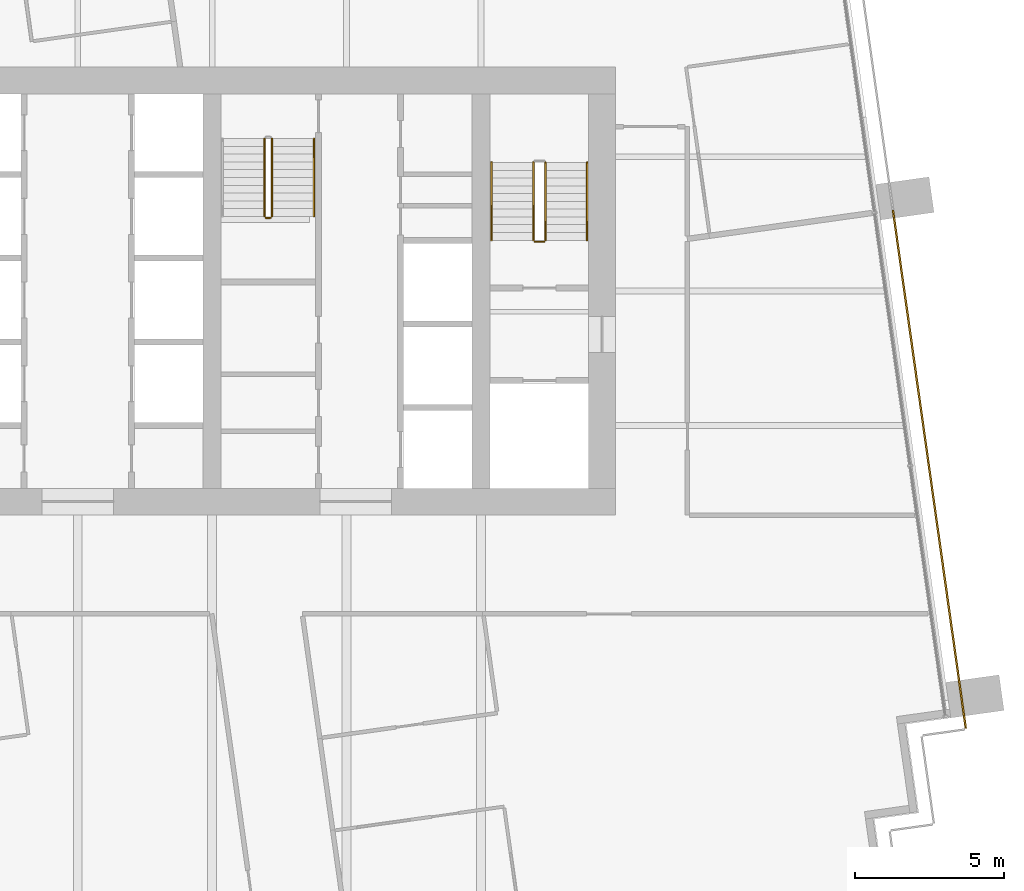
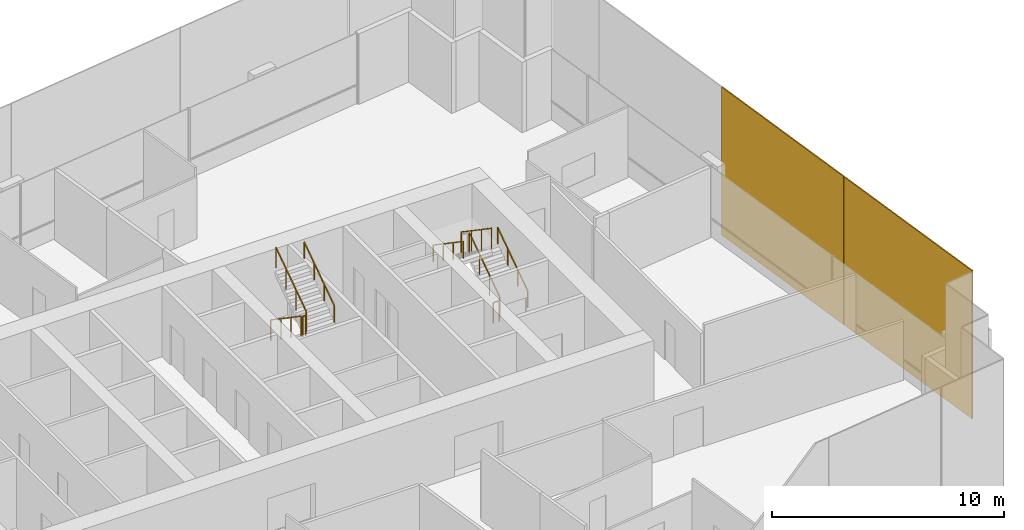
# One storey, part 15 of 17: 9 railings, 2 coverings.
"""IFC4 building model written with IfcOpenShell, lengths in metres."""

from ifc_helpers import new_model, si_unit, direction, frame, origin, origin_2d, place, context, subcontext, project, spatial, rectangle, extrude, material, layer, layer_set, type_object, element, save


model = new_model("IFC4")

# Units and contexts
model_context = context("Model", 3, precision=1e-05, world=origin(), true_north=direction((0.0, 1.0)))
body_context = subcontext(model_context, "Body", "Model", "MODEL_VIEW")
ifc_project = project(units=[si_unit("LENGTHUNIT", "METRE"), si_unit("AREAUNIT", "SQUARE_METRE"), si_unit("VOLUMEUNIT", "CUBIC_METRE"), si_unit("PLANEANGLEUNIT", "RADIAN"), si_unit("MASSUNIT", "GRAM", prefix="KILO")], contexts=[model_context])

# Site, building, storey
site_placement = place(None, origin())
site = spatial("IfcSite", under=ifc_project, at=site_placement, CompositionType="ELEMENT")
building_placement = place(site_placement, origin())
building = spatial("IfcBuilding", under=site, at=building_placement, Name="Rattan Terrace Tower", CompositionType="ELEMENT")
storey_placement = place(building_placement, frame((0.0, 0.0, 191.89990234375)))
storey = spatial("IfcBuildingStorey", under=building, at=storey_placement, Name="L44", CompositionType="ELEMENT", Elevation=191.89990234375)

# Railings
ifc_material_1 = material(Name="Powder-coated steel guard", Category="steel")
railing_type_1 = type_object("IfcRailingType", Name="Core stair guard", PredefinedType="GUARDRAIL", material=ifc_material_1)
railing_1_placement = place(storey_placement, frame((15.64990234375, 1.699951171875, 0.177490234375)))
element("IfcRailing", 1, at=railing_1_placement, inside=storey, type_object=railing_type_1, Name="L44 S2 stair guard 1", PredefinedType="GUARDRAIL", context=body_context, shape_type="SweptSolid", body=[
    extrude(rectangle(XDim=0.048095703125, YDim=0.048095703125, at=origin_2d()), frame((0.0, 0.0, 1.076171875), z_axis=(0.0, 0.826240473404, 0.563317565952), x_axis=(-1.0, 0.0, 0.0)), (0.0, 0.0, 1.0), 3.14697265625),
    extrude(rectangle(XDim=0.0419921875, YDim=0.0419921875, at=origin_2d()), origin(), (0.0, 0.0, 1.0), 1.052001953125),
    extrude(rectangle(XDim=0.0419921875, YDim=0.0419921875, at=origin_2d()), frame((0.0, 0.86669921875, 0.5908203125)), (0.0, 0.0, 1.0), 1.052001953125),
    extrude(rectangle(XDim=0.0419921875, YDim=0.0419921875, at=origin_2d()), frame((0.0, 1.7333984375, 1.181884765625)), (0.0, 0.0, 1.0), 1.052001953125),
    extrude(rectangle(XDim=0.0419921875, YDim=0.0419921875, at=origin_2d()), frame((0.0, 2.60009765625, 1.772705078125)), (0.0, 0.0, 1.0), 1.052001953125),
])
railing_2_placement = place(storey_placement, frame((15.25, 4.300048828125, 2.12744140625)))
element("IfcRailing", 2, at=railing_2_placement, inside=storey, type_object=railing_type_1, Name="L44 S2 stair guard 3", PredefinedType="GUARDRAIL", context=body_context, shape_type="SweptSolid", body=[
    extrude(rectangle(XDim=0.048095703125, YDim=0.048095703125, at=origin_2d()), frame((0.0, 0.0, 1.076171875), z_axis=(0.0, -0.826240473404, 0.563317565952), x_axis=(1.0, 0.0, 0.0)), (0.0, 0.0, 1.0), 3.14697265625),
    extrude(rectangle(XDim=0.0419921875, YDim=0.0419921875, at=origin_2d()), origin(), (0.0, 0.0, 1.0), 1.052001953125),
    extrude(rectangle(XDim=0.0419921875, YDim=0.0419921875, at=origin_2d()), frame((0.0, -0.86669921875, 0.5908203125)), (0.0, 0.0, 1.0), 1.052001953125),
    extrude(rectangle(XDim=0.0419921875, YDim=0.0419921875, at=origin_2d()), frame((0.0, -1.7333984375, 1.181884765625)), (0.0, 0.0, 1.0), 1.052001953125),
    extrude(rectangle(XDim=0.0419921875, YDim=0.0419921875, at=origin_2d()), frame((0.0, -2.60009765625, 1.772705078125)), (0.0, 0.0, 1.0), 1.052001953125),
])
railing_3_placement = place(storey_placement, frame((15.60009765625, 1.64990234375, 0.0)))
element("IfcRailing", 3, at=railing_3_placement, inside=storey, type_object=railing_type_1, Name="L44 S2 stair guard 4", PredefinedType="GUARDRAIL", context=body_context, shape_type="SweptSolid", body=[
    extrude(rectangle(XDim=0.048095703125, YDim=0.048095703125, at=origin_2d()), frame((0.0, 0.0, 1.076171875), z_axis=(-1.0, 0.0, 0.0), x_axis=(0.0, -1.0, 0.0)), (0.0, 0.0, 1.0), 0.300048828125),
    extrude(rectangle(XDim=0.0419921875, YDim=0.0419921875, at=origin_2d()), origin(), (0.0, 0.0, 1.0), 1.052001953125),
    extrude(rectangle(XDim=0.0419921875, YDim=0.0419921875, at=origin_2d()), frame((-0.300048828125, 0.0, 0.0)), (0.0, 0.0, 1.0), 1.052001953125),
])
railing_4_placement = place(storey_placement, frame((6.25, 5.10009765625, 0.177490234375)))
element("IfcRailing", 4, at=railing_4_placement, inside=storey, type_object=railing_type_1, Name="L44 S3 stair guard 1", PredefinedType="GUARDRAIL", context=body_context, shape_type="SweptSolid", body=[
    extrude(rectangle(XDim=0.048095703125, YDim=0.048095703125, at=origin_2d()), frame((0.0, 0.0, 1.076171875), z_axis=(0.0, -0.826240473404, 0.563317565952), x_axis=(1.0, 0.0, 0.0)), (0.0, 0.0, 1.0), 3.14697265625),
    extrude(rectangle(XDim=0.0419921875, YDim=0.0419921875, at=origin_2d()), origin(), (0.0, 0.0, 1.0), 1.052001953125),
    extrude(rectangle(XDim=0.0419921875, YDim=0.0419921875, at=origin_2d()), frame((0.0, -0.86669921875, 0.5908203125)), (0.0, 0.0, 1.0), 1.052001953125),
    extrude(rectangle(XDim=0.0419921875, YDim=0.0419921875, at=origin_2d()), frame((0.0, -1.7333984375, 1.181884765625)), (0.0, 0.0, 1.0), 1.052001953125),
    extrude(rectangle(XDim=0.0419921875, YDim=0.0419921875, at=origin_2d()), frame((0.0, -2.60009765625, 1.772705078125)), (0.0, 0.0, 1.0), 1.052001953125),
])
railing_5_placement = place(storey_placement, frame((6.300048828125, 2.449951171875, 1.9501953125)))
element("IfcRailing", 5, at=railing_5_placement, inside=storey, type_object=railing_type_1, Name="L44 S3 stair guard 2", PredefinedType="GUARDRAIL", context=body_context, shape_type="SweptSolid", body=[
    extrude(rectangle(XDim=0.048095703125, YDim=0.048095703125, at=origin_2d()), frame((0.0, 0.0, 1.076171875), z_axis=(1.0, 0.0, 0.0), x_axis=(0.0, 1.0, 0.0)), (0.0, 0.0, 1.0), 0.14990234375),
    extrude(rectangle(XDim=0.0419921875, YDim=0.0419921875, at=origin_2d()), origin(), (0.0, 0.0, 1.0), 1.052001953125),
    extrude(rectangle(XDim=0.0419921875, YDim=0.0419921875, at=origin_2d()), frame((0.14990234375, 0.0, 0.0)), (0.0, 0.0, 1.0), 1.052001953125),
])
railing_6_placement = place(storey_placement, frame((6.5, 2.5, 2.12744140625)))
element("IfcRailing", 6, at=railing_6_placement, inside=storey, type_object=railing_type_1, Name="L44 S3 stair guard 3", PredefinedType="GUARDRAIL", context=body_context, shape_type="SweptSolid", body=[
    extrude(rectangle(XDim=0.048095703125, YDim=0.048095703125, at=origin_2d()), frame((0.0, 0.0, 1.076171875), z_axis=(0.0, 0.826240473404, 0.563317565952), x_axis=(-1.0, 0.0, 0.0)), (0.0, 0.0, 1.0), 3.14697265625),
    extrude(rectangle(XDim=0.0419921875, YDim=0.0419921875, at=origin_2d()), origin(), (0.0, 0.0, 1.0), 1.052001953125),
    extrude(rectangle(XDim=0.0419921875, YDim=0.0419921875, at=origin_2d()), frame((0.0, 0.86669921875, 0.5908203125)), (0.0, 0.0, 1.0), 1.052001953125),
    extrude(rectangle(XDim=0.0419921875, YDim=0.0419921875, at=origin_2d()), frame((0.0, 1.7333984375, 1.181884765625)), (0.0, 0.0, 1.0), 1.052001953125),
    extrude(rectangle(XDim=0.0419921875, YDim=0.0419921875, at=origin_2d()), frame((0.0, 2.60009765625, 1.772705078125)), (0.0, 0.0, 1.0), 1.052001953125),
])
ifc_material_2 = material(Name="Powder-coated steel handrail", Category="steel")
railing_type_2 = type_object("IfcRailingType", Name="Core stair handrail", PredefinedType="HANDRAIL", material=ifc_material_2)
railing_7_placement = place(storey_placement, frame((17.050048828125, 1.699951171875, 0.177490234375)))
element("IfcRailing", 7, at=railing_7_placement, inside=storey, type_object=railing_type_2, Name="L44 S2 stair handrail 1", PredefinedType="HANDRAIL", context=body_context, shape_type="SweptSolid", body=[
    extrude(rectangle(XDim=0.048095703125, YDim=0.048095703125, at=origin_2d()), frame((0.0, 0.0, 0.8759765625), z_axis=(0.0, 0.826240473404, 0.563317565952), x_axis=(-1.0, 0.0, 0.0)), (0.0, 0.0, 1.0), 3.14697265625),
    extrude(rectangle(XDim=0.0419921875, YDim=0.0419921875, at=origin_2d()), origin(), (0.0, 0.0, 1.0), 0.851806640625),
    extrude(rectangle(XDim=0.0419921875, YDim=0.0419921875, at=origin_2d()), frame((0.0, 0.86669921875, 0.5908203125)), (0.0, 0.0, 1.0), 0.851806640625),
    extrude(rectangle(XDim=0.0419921875, YDim=0.0419921875, at=origin_2d()), frame((0.0, 1.7333984375, 1.181884765625)), (0.0, 0.0, 1.0), 0.851806640625),
    extrude(rectangle(XDim=0.0419921875, YDim=0.0419921875, at=origin_2d()), frame((0.0, 2.60009765625, 1.772705078125)), (0.0, 0.0, 1.0), 0.851806640625),
])
railing_8_placement = place(storey_placement, frame((13.85009765625, 4.300048828125, 2.12744140625)))
element("IfcRailing", 8, at=railing_8_placement, inside=storey, type_object=railing_type_2, Name="L44 S2 stair handrail 2", PredefinedType="HANDRAIL", context=body_context, shape_type="SweptSolid", body=[
    extrude(rectangle(XDim=0.048095703125, YDim=0.048095703125, at=origin_2d()), frame((0.0, 0.0, 0.8759765625), z_axis=(0.0, -0.826240473404, 0.563317565952), x_axis=(1.0, 0.0, 0.0)), (0.0, 0.0, 1.0), 3.14697265625),
    extrude(rectangle(XDim=0.0419921875, YDim=0.0419921875, at=origin_2d()), origin(), (0.0, 0.0, 1.0), 0.851806640625),
    extrude(rectangle(XDim=0.0419921875, YDim=0.0419921875, at=origin_2d()), frame((0.0, -0.86669921875, 0.5908203125)), (0.0, 0.0, 1.0), 0.851806640625),
    extrude(rectangle(XDim=0.0419921875, YDim=0.0419921875, at=origin_2d()), frame((0.0, -1.7333984375, 1.181884765625)), (0.0, 0.0, 1.0), 0.851806640625),
    extrude(rectangle(XDim=0.0419921875, YDim=0.0419921875, at=origin_2d()), frame((0.0, -2.60009765625, 1.772705078125)), (0.0, 0.0, 1.0), 0.851806640625),
])
railing_9_placement = place(storey_placement, frame((7.89990234375, 2.5, 2.12744140625)))
element("IfcRailing", 9, at=railing_9_placement, inside=storey, type_object=railing_type_2, Name="L44 S3 stair handrail 2", PredefinedType="HANDRAIL", context=body_context, shape_type="SweptSolid", body=[
    extrude(rectangle(XDim=0.048095703125, YDim=0.048095703125, at=origin_2d()), frame((0.0, 0.0, 0.8759765625), z_axis=(0.0, 0.826240473404, 0.563317565952), x_axis=(-1.0, 0.0, 0.0)), (0.0, 0.0, 1.0), 3.14697265625),
    extrude(rectangle(XDim=0.0419921875, YDim=0.0419921875, at=origin_2d()), origin(), (0.0, 0.0, 1.0), 0.851806640625),
    extrude(rectangle(XDim=0.0419921875, YDim=0.0419921875, at=origin_2d()), frame((0.0, 0.86669921875, 0.5908203125)), (0.0, 0.0, 1.0), 0.851806640625),
    extrude(rectangle(XDim=0.0419921875, YDim=0.0419921875, at=origin_2d()), frame((0.0, 1.7333984375, 1.181884765625)), (0.0, 0.0, 1.0), 0.851806640625),
    extrude(rectangle(XDim=0.0419921875, YDim=0.0419921875, at=origin_2d()), frame((0.0, 2.60009765625, 1.772705078125)), (0.0, 0.0, 1.0), 0.851806640625),
])

# Coverings
ifc_material_3 = material(Name="Perforated terracotta", Category="masonry")
ifc_layer = layer(ifc_material_3, 0.06005859375)
ifc_layer_set = layer_set([ifc_layer], Name="Facade Terracotta Screen Panel")
covering_type = type_object("IfcCoveringType", Name="Facade Terracotta Screen Panel", PredefinedType="CLADDING", material=ifc_layer_set)
covering_1_placement = place(storey_placement, frame((29.095703125, -10.19580078125, -0.18994140625), z_axis=(0.0, 0.0, 1.0), x_axis=(-0.139190856006, 0.99026557327, 0.0)))
element("IfcCovering", 10, at=covering_1_placement, inside=storey, type_object=covering_type, Name="OUTER SKIN panel L44-6", PredefinedType="CLADDING", context=body_context, shape_type="SweptSolid", body=[
    extrude(rectangle(XDim=8.949951171875, YDim=0.06005859375, at=origin_2d()), origin(), (0.0, 0.0, 1.0), 7.780029296875),
])
covering_2_placement = place(storey_placement, frame((27.87646484375, -1.521240234375, -0.18994140625), z_axis=(0.0, 0.0, 1.0), x_axis=(-0.139190856006, 0.99026557327, 0.0)))
element("IfcCovering", 11, at=covering_2_placement, inside=storey, type_object=covering_type, Name="OUTER SKIN panel L44-7", PredefinedType="CLADDING", context=body_context, shape_type="SweptSolid", body=[
    extrude(rectangle(XDim=8.530029296875, YDim=0.06005859375, at=origin_2d()), origin(), (0.0, 0.0, 1.0), 7.780029296875),
])

save(model, "model.ifc")
